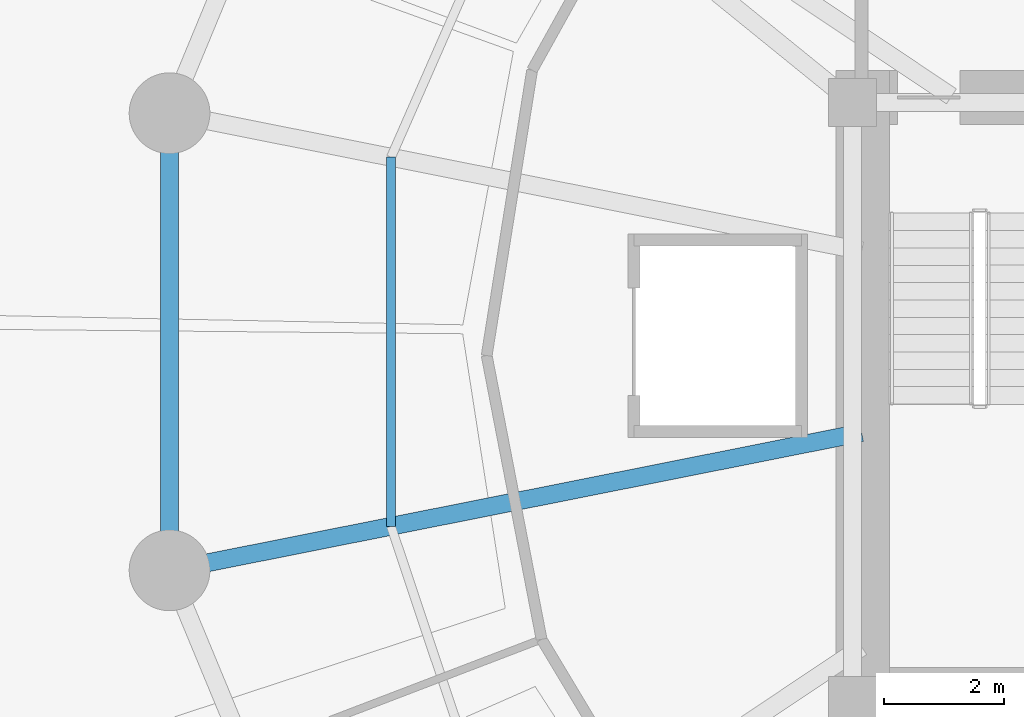
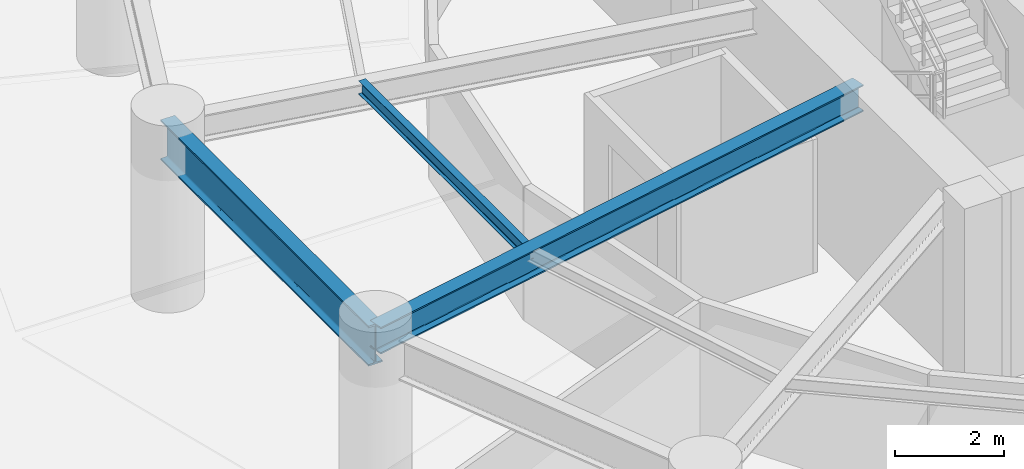
# One storey, part 5 of 17: 3 beams.
"""IFC4 building model written with IfcOpenShell, lengths in metres."""

import ifcopenshell
import ifcopenshell.guid

model = None  # the IFC model being written
_history = None  # IfcOwnerHistory: only IFC2X3 demands one
_inside = {}  # id of a spatial element -> (the spatial element, [elements in it])
_under = {}  # id of a project, library or spatial element -> (it, [spatial elements below it])
_declared = {}  # id of a project -> (the project, [libraries it declares])
_typed = {}  # id of a type object -> (the type object, [elements of that type])
_made_of = {}  # id of a material, layer set ... -> (it, [elements and type objects made of it])


def new_model(schema):
    """Start an empty IFC model of exactly this schema.

    Asked for "IFC4X3", IfcOpenShell would pick the latest addendum, in which some entities
    have other attributes; the version numbers below select the first issue.
    IFC2X3 requires an IfcOwnerHistory on every rooted entity: one is made here for all.
    """
    global model, _history
    if schema == "IFC4X3":
        model = ifcopenshell.file(schema_version=(4, 3, 0, 0))
    else:
        model = ifcopenshell.file(schema=schema)
    _inside.clear()
    _under.clear()
    _declared.clear()
    _typed.clear()
    _made_of.clear()
    _history = None
    if model.schema == "IFC2X3":
        org = make("IfcOrganization", Name="unknown")
        user = make(
            "IfcPersonAndOrganization",
            ThePerson=make("IfcPerson", FamilyName="unknown"),
            TheOrganization=org,
        )
        app = make(
            "IfcApplication",
            ApplicationDeveloper=org,
            Version="unknown",
            ApplicationFullName="unknown",
            ApplicationIdentifier="unknown",
        )
        _history = make(
            "IfcOwnerHistory",
            OwningUser=user,
            OwningApplication=app,
            ChangeAction="ADDED",
            CreationDate=0,
        )
    return model


def make(cls, **values):
    """One entity of the class cls with the attributes given. An attribute that is None is left unset."""
    return model.create_entity(
        cls, **{name: value for name, value in values.items() if value is not None}
    )


def rooted(cls, **values):
    """An entity with a GlobalId (a new one), such as an element, a storey or a relation."""
    return make(cls, GlobalId=ifcopenshell.guid.new(), OwnerHistory=_history, **values)


def si_unit(unit_type, name, prefix=None):
    """IfcSIUnit, for example si_unit("LENGTHUNIT", "METRE", prefix="MILLI")."""
    return make("IfcSIUnit", UnitType=unit_type, Prefix=prefix, Name=name)


def assignment(units):
    """IfcUnitAssignment: the units of a project."""
    return None if units is None else make("IfcUnitAssignment", Units=units)


def point(xyz):
    """IfcCartesianPoint."""
    return None if xyz is None else make("IfcCartesianPoint", Coordinates=xyz)


def direction(xyz):
    """IfcDirection."""
    return None if xyz is None else make("IfcDirection", DirectionRatios=xyz)


def frame(location, z_axis=None, x_axis=None):
    """IfcAxis2Placement3D, a coordinate frame: its origin and axes. An axis left out is left unset."""
    return make(
        "IfcAxis2Placement3D",
        Location=point(location),
        Axis=direction(z_axis),
        RefDirection=direction(x_axis),
    )


def frame_2d(location, x_axis=None):
    """IfcAxis2Placement2D, a coordinate frame in the plane: its origin and x axis."""
    return make(
        "IfcAxis2Placement2D", Location=point(location), RefDirection=direction(x_axis)
    )


def origin():
    """The frame at (0, 0, 0) with its axes left unset."""
    return frame((0.0, 0.0, 0.0))


def origin_2d():
    """The frame at (0, 0) in the plane with its x axis left unset."""
    return frame_2d((0.0, 0.0))


def place(relative_to, where):
    """IfcLocalPlacement: puts the frame where relative to a parent placement (None: the world)."""
    return make(
        "IfcLocalPlacement", PlacementRelTo=relative_to, RelativePlacement=where
    )


def context(
    kind, dimensions, precision=None, world=None, true_north=None, identifier=None
):
    """IfcGeometricRepresentationContext, for example the 3D "Model" context."""
    return make(
        "IfcGeometricRepresentationContext",
        ContextIdentifier=identifier,
        ContextType=kind,
        CoordinateSpaceDimension=dimensions,
        Precision=precision,
        WorldCoordinateSystem=world,
        TrueNorth=true_north,
    )


def subcontext(parent, identifier, kind, view, scale=None):
    """IfcGeometricRepresentationSubContext, for example "Body" below "Model"."""
    return make(
        "IfcGeometricRepresentationSubContext",
        ContextIdentifier=identifier,
        ContextType=kind,
        ParentContext=parent,
        TargetScale=scale,
        TargetView=view,
    )


def project(units=None, contexts=None):
    """IfcProject with its units and contexts."""
    return rooted(
        "IfcProject",
        Name="project",
        RepresentationContexts=contexts,
        UnitsInContext=assignment(units),
    )


def spatial(cls, under=None, at=None, **own):
    """A site, building, storey or space (cls), placed at a placement, below another one or the project."""
    s = rooted(cls, ObjectPlacement=at, **own)
    if under is not None:
        _under.setdefault(under.id(), (under, []))[1].append(s)
    return s


def profile(cls, at=None, kind="AREA", **sizes):
    """A parametric profile (cls). Its sizes go by their IFC names, for example OverallWidth=200.0."""
    return make(cls, ProfileType=kind, Position=at, **sizes)


def i_section(**sizes):
    """IfcIShapeProfileDef."""
    return profile("IfcIShapeProfileDef", **sizes)


def extrude(swept, where, along, depth):
    """IfcExtrudedAreaSolid: the profile swept, set in the frame where, extruded along a direction by depth."""
    return make(
        "IfcExtrudedAreaSolid",
        SweptArea=swept,
        Position=where,
        ExtrudedDirection=direction(along),
        Depth=depth,
    )


def shape(context_of_items, identifier, shape_type, items):
    """IfcShapeRepresentation: the items that make up one representation, for example the "Body"."""
    return make(
        "IfcShapeRepresentation",
        ContextOfItems=context_of_items,
        RepresentationIdentifier=identifier,
        RepresentationType=shape_type,
        Items=items,
    )


def material(Name=None, Category=None):
    """IfcMaterial."""
    return make("IfcMaterial", Name=Name, Category=Category)


def material_profile(
    of_material, cross_section, Name=None, Category=None, Priority=None
):
    """IfcMaterialProfile: a cross section and its material."""
    return make(
        "IfcMaterialProfile",
        Name=Name,
        Material=of_material,
        Profile=cross_section,
        Priority=Priority,
        Category=Category,
    )


def profile_set(profiles, Name=None, composite=None):
    """IfcMaterialProfileSet."""
    return make(
        "IfcMaterialProfileSet",
        Name=Name,
        MaterialProfiles=profiles,
        CompositeProfile=composite,
    )


def made_of(thing, what):
    """Note that an element or type object is made of a material, layer set ...; save() writes the relation."""
    if what is not None:
        _made_of.setdefault(what.id(), (what, []))[1].append(thing)
    return thing


def type_object(cls, material=None, **own):
    """A type object (cls), such as IfcWallType, which elements share."""
    return made_of(rooted(cls, **own), material)


def element(
    cls,
    number,
    at=None,
    inside=None,
    cuts=None,
    type_object=None,
    material=None,
    context=None,
    identifier="Body",
    shape_type=None,
    held_by="IfcProductDefinitionShape",
    body=None,
    shapes=None,
    **own,
):
    """One element of the class cls, such as IfcWall. Its Tag is "e" and its number.

    at: its placement. inside: the storey or other place that contains it. cuts: it is an
    opening in that element (IfcRelVoidsElement). A single representation is given by context,
    identifier, shape_type and body (its items); several are given by shapes. held_by: the class
    of the entity that holds the representations. save() writes the other relations.
    """
    e = rooted(cls, Tag="e%d" % number, ObjectPlacement=at, **own)
    if body is not None:
        shapes = [shape(context, identifier, shape_type, body)]
    if shapes is not None:
        e.Representation = make(held_by, Representations=shapes)
    if inside is not None:
        _inside.setdefault(inside.id(), (inside, []))[1].append(e)
    if cuts is not None:
        rooted(
            "IfcRelVoidsElement", RelatingBuildingElement=cuts, RelatedOpeningElement=e
        )
    if type_object is not None:
        _typed.setdefault(type_object.id(), (type_object, []))[1].append(e)
    return made_of(e, material)


def aggregate(whole, parts):
    """IfcRelAggregates: a whole, such as a stair, and the parts it consists of."""
    return rooted("IfcRelAggregates", RelatingObject=whole, RelatedObjects=parts)


def save(model, path):
    """Write the relations noted so far, then the file.

    IfcRelAggregates (storeys below a building ...), IfcRelContainedInSpatialStructure (elements
    in a storey), IfcRelDefinesByType, IfcRelAssociatesMaterial and IfcRelDeclares: one each for
    every whole, place, type object, material and project.
    """
    for whole, parts in _under.values():
        aggregate(whole, parts)
    for where, things in _inside.values():
        rooted(
            "IfcRelContainedInSpatialStructure",
            RelatedElements=things,
            RelatingStructure=where,
        )
    for kind, things in _typed.values():
        rooted("IfcRelDefinesByType", RelatedObjects=things, RelatingType=kind)
    for what, things in _made_of.values():
        rooted("IfcRelAssociatesMaterial", RelatedObjects=things, RelatingMaterial=what)
    for by, libraries in _declared.values():
        rooted("IfcRelDeclares", RelatingContext=by, RelatedDefinitions=libraries)
    model.write(path)


model = new_model("IFC4")

# Units and contexts
model_context = context("Model", 3, precision=1e-05, world=origin(), true_north=direction((0.0, 1.0)))
body_context = subcontext(model_context, "Body", "Model", "MODEL_VIEW")
ifc_project = project(units=[si_unit("LENGTHUNIT", "METRE"), si_unit("AREAUNIT", "SQUARE_METRE"), si_unit("VOLUMEUNIT", "CUBIC_METRE"), si_unit("PLANEANGLEUNIT", "RADIAN"), si_unit("MASSUNIT", "GRAM", prefix="KILO"), si_unit("THERMODYNAMICTEMPERATUREUNIT", "KELVIN"), si_unit("POWERUNIT", "WATT")], contexts=[model_context])

# Site, building, storey
site_placement = place(None, origin())
site = spatial("IfcSite", under=ifc_project, at=site_placement, CompositionType="ELEMENT")
building_placement = place(site_placement, origin())
building = spatial("IfcBuilding", under=site, at=building_placement, Name="Ocrelia Relay Tower", CompositionType="ELEMENT")
storey_placement = place(building_placement, frame((0.0, 0.0, 34.199951171875)))
storey = spatial("IfcBuildingStorey", under=building, at=storey_placement, Name="L07", CompositionType="ELEMENT", Elevation=34.199951171875)

# Beams
ifc_material = material(Name="Steel S355", Category="steel")
ifc_material_profile_1 = material_profile(ifc_material, i_section(OverallWidth=0.300048828125, OverallDepth=0.60009765625, WebThickness=0.015380859375, FlangeThickness=0.030029296875, FilletRadius=0.027099609375, at=origin_2d()), Name="HEB 600")
ifc_profile_set_1 = profile_set([ifc_material_profile_1], Name="Steel S355")
beam_type_1 = type_object("IfcBeamType", Name="BM-HEB600", PredefinedType="BEAM", material=ifc_profile_set_1)
beam_1_placement = place(storey_placement, frame((14.776611328125, 22.17626953125, 3.6201171875), z_axis=(0.980786938484, 0.195081986098, 0.0), x_axis=(-0.195081986098, 0.980786938484, 0.0)))
element("IfcBeam", 1, at=beam_1_placement, inside=storey, type_object=beam_type_1, Name="L07 Radial Floor Girder R09", PredefinedType="BEAM", context=body_context, shape_type="SweptSolid", body=[
    extrude(i_section(OverallWidth=0.300048828125, OverallDepth=0.60009765625, WebThickness=0.015380859375, FlangeThickness=0.030029296875, FilletRadius=0.027099609375, at=origin_2d()), origin(), (0.0, 0.0, 1.0), 11.80517578125),
])
ifc_material_profile_2 = material_profile(ifc_material, i_section(OverallWidth=0.300048828125, OverallDepth=0.89990234375, WebThickness=0.0185546875, FlangeThickness=0.034912109375, FilletRadius=0.030029296875, at=origin_2d()), Name="HEB 900")
ifc_profile_set_2 = profile_set([ifc_material_profile_2], Name="Steel S355")
beam_type_2 = type_object("IfcBeamType", Name="BM-HEB900", PredefinedType="BEAM", material=ifc_profile_set_2)
beam_2_placement = place(storey_placement, frame((14.776611328125, 29.82373046875, 3.469970703125), z_axis=(0.0, -1.0, 0.0), x_axis=(1.0, 0.0, 0.0)))
element("IfcBeam", 2, at=beam_2_placement, inside=storey, type_object=beam_type_2, Name="L07 Perimeter Spandrel Beam S08", PredefinedType="BEAM", context=body_context, shape_type="SweptSolid", body=[
    extrude(i_section(OverallWidth=0.300048828125, OverallDepth=0.89990234375, WebThickness=0.0185546875, FlangeThickness=0.034912109375, FilletRadius=0.030029296875, at=origin_2d()), origin(), (0.0, 0.0, 1.0), 7.6474609375),
])
ifc_material_profile_3 = material_profile(ifc_material, i_section(OverallWidth=0.14990234375, OverallDepth=0.300048828125, WebThickness=0.007080078125, FlangeThickness=0.0107421875, FilletRadius=0.014892578125, at=origin_2d()), Name="IPE 300")
ifc_profile_set_3 = profile_set([ifc_material_profile_3], Name="Steel S355")
beam_type_3 = type_object("IfcBeamType", Name="BM-IPE300", PredefinedType="JOIST", material=ifc_profile_set_3)
beam_3_placement = place(storey_placement, frame((18.481689453125, 29.0869140625, 3.77001953125), z_axis=(0.0, -1.0, 0.0), x_axis=(1.0, 0.0, 0.0)))
element("IfcBeam", 3, at=beam_3_placement, inside=storey, type_object=beam_type_3, Name="L07 Secondary Floor Joist J08", PredefinedType="JOIST", context=body_context, shape_type="SweptSolid", body=[
    extrude(i_section(OverallWidth=0.14990234375, OverallDepth=0.300048828125, WebThickness=0.007080078125, FlangeThickness=0.0107421875, FilletRadius=0.014892578125, at=origin_2d()), origin(), (0.0, 0.0, 1.0), 6.173828125),
])

save(model, "model.ifc")
